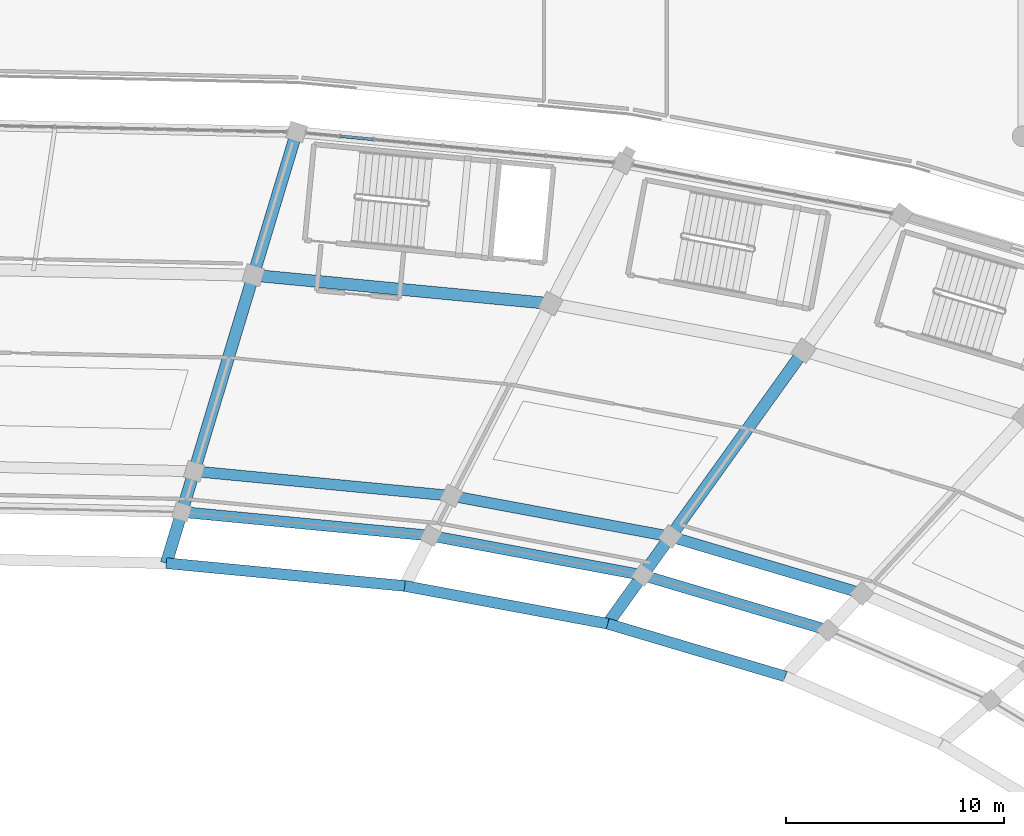
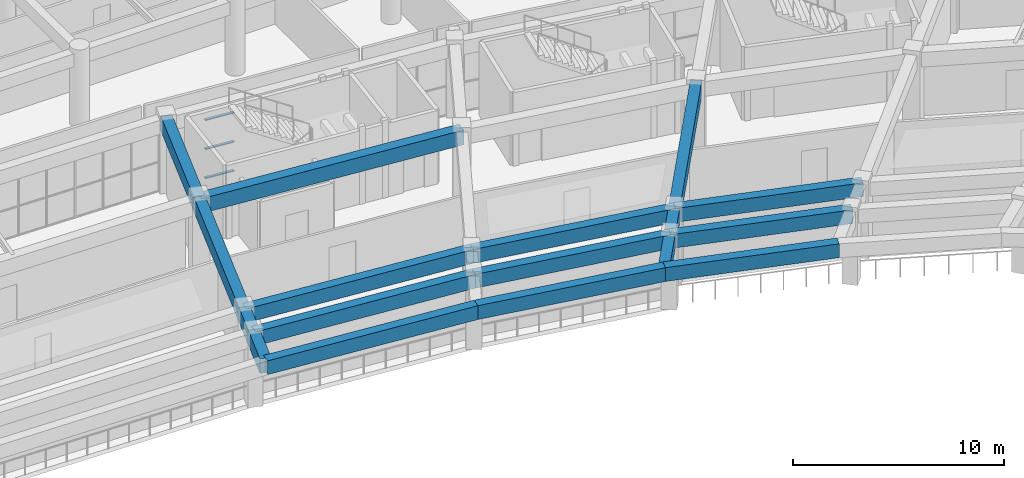
# One storey, part 69 of 145: 13 beams, 3 members, 1 element without a shape of its own.
"""IFC4 building model written with IfcOpenShell, lengths in metres."""

from ifc_helpers import new_model, si_unit, direction, frame, origin, origin_2d, place, context, subcontext, project, spatial, rectangle, extrude, material, layer, layer_set, material_profile, profile_set, type_object, element, aggregate, save


model = new_model("IFC4")

# Units and contexts
model_context = context("Model", 3, precision=1e-05, world=origin(), true_north=direction((0.0, 1.0)))
body_context = subcontext(model_context, "Body", "Model", "MODEL_VIEW")
ifc_project = project(units=[si_unit("LENGTHUNIT", "METRE"), si_unit("AREAUNIT", "SQUARE_METRE"), si_unit("VOLUMEUNIT", "CUBIC_METRE"), si_unit("PLANEANGLEUNIT", "RADIAN"), si_unit("MASSUNIT", "GRAM", prefix="KILO")], contexts=[model_context])

# Site, building, storey
site_placement = place(None, origin())
site = spatial("IfcSite", under=ifc_project, at=site_placement, CompositionType="ELEMENT")
building_placement = place(site_placement, origin())
building = spatial("IfcBuilding", under=site, at=building_placement, Name="Mphavela Belvedere Stadium", CompositionType="ELEMENT")
storey_placement = place(building_placement, frame((0.0, 0.0, 10.199951171875)))
storey = spatial("IfcBuildingStorey", under=building, at=storey_placement, Name="L02", CompositionType="ELEMENT", Elevation=10.199951171875)

# Beams
ifc_material_1 = material(Name="Concrete C40/50", Category="concrete")
ifc_material_profile_1 = material_profile(ifc_material_1, rectangle(XDim=0.5, YDim=0.800048828125, at=origin_2d()), Name="RC 500x800")
ifc_profile_set_1 = profile_set([ifc_material_profile_1], Name="Concrete C40/50")
beam_type_1 = type_object("IfcBeamType", Name="BM-RC500x800", PredefinedType="BEAM", material=ifc_profile_set_1)
beam_1_placement = place(storey_placement, frame((161.450439453125, 137.37890625, 3.85009765625), z_axis=(-0.958656973737, 0.284564240033, 0.0), x_axis=(-0.284564240033, -0.958656973737, 0.0)))
element("IfcBeam", 1, at=beam_1_placement, inside=storey, type_object=beam_type_1, Name="Circumferential girder L02 R1-09", PredefinedType="BEAM", context=body_context, shape_type="SweptSolid", body=[
    extrude(rectangle(XDim=0.5, YDim=0.800048828125, at=origin_2d()), origin(), (0.0, 0.0, 1.0), 8.854736328125),
])
beam_2_placement = place(storey_placement, frame((163.002685546875, 139.0625, 3.85009765625), z_axis=(-0.958656419443, 0.284566107363, 0.0), x_axis=(-0.284566107363, -0.958656419443, 0.0)))
element("IfcBeam", 2, at=beam_2_placement, inside=storey, type_object=beam_type_1, Name="Circumferential girder L02 R2-09", PredefinedType="BEAM", context=body_context, shape_type="SweptSolid", body=[
    extrude(rectangle(XDim=0.5, YDim=0.800048828125, at=origin_2d()), origin(), (0.0, 0.0, 1.0), 9.15087890625),
])
beam_3_placement = place(storey_placement, frame((152.961669921875, 139.898681640625, 3.85009765625), z_axis=(-0.983092994202, 0.183106976248, 0.0), x_axis=(-0.183106976248, -0.983092994202, 0.0)))
element("IfcBeam", 3, at=beam_3_placement, inside=storey, type_object=beam_type_1, Name="Circumferential girder L02 R1-10", PredefinedType="BEAM", context=body_context, shape_type="SweptSolid", body=[
    extrude(rectangle(XDim=0.5, YDim=0.800048828125, at=origin_2d()), origin(), (0.0, 0.0, 1.0), 9.869140625),
])
beam_4_placement = place(storey_placement, frame((154.230224609375, 141.66650390625, 3.85009765625), z_axis=(-0.983098802226, 0.183075790485, 0.0), x_axis=(-0.183075790485, -0.983098802226, 0.0)))
element("IfcBeam", 4, at=beam_4_placement, inside=storey, type_object=beam_type_1, Name="Circumferential girder L02 R2-10", PredefinedType="BEAM", context=body_context, shape_type="SweptSolid", body=[
    extrude(rectangle(XDim=0.5, YDim=0.800048828125, at=origin_2d()), origin(), (0.0, 0.0, 1.0), 10.198974609375),
])
beam_5_placement = place(storey_placement, frame((143.25927734375, 141.705810546875, 3.85009765625), z_axis=(-0.995485216305, 0.094916722014, 0.0), x_axis=(-0.094916722014, -0.995485216305, 0.0)))
element("IfcBeam", 5, at=beam_5_placement, inside=storey, type_object=beam_type_1, Name="Circumferential girder L02 R1-11", PredefinedType="BEAM", context=body_context, shape_type="SweptSolid", body=[
    extrude(rectangle(XDim=0.5, YDim=0.800048828125, at=origin_2d()), origin(), (0.0, 0.0, 1.0), 11.453857421875),
])
beam_6_placement = place(storey_placement, frame((144.20361328125, 143.53369140625, 3.85009765625), z_axis=(-0.9954829494, 0.094940494283, 0.0), x_axis=(-0.094940494283, -0.9954829494, 0.0)))
element("IfcBeam", 6, at=beam_6_placement, inside=storey, type_object=beam_type_1, Name="Circumferential girder L02 R2-11", PredefinedType="BEAM", context=body_context, shape_type="SweptSolid", body=[
    extrude(rectangle(XDim=0.5, YDim=0.800048828125, at=origin_2d()), origin(), (0.0, 0.0, 1.0), 11.836669921875),
])
beam_7_placement = place(storey_placement, frame((159.495849609375, 135.259033203125, 3.85009765625), z_axis=(-0.958654841276, 0.284571423896, 0.0), x_axis=(-0.284571423896, -0.958654841276, 0.0)))
element("IfcBeam", 7, at=beam_7_placement, inside=storey, type_object=beam_type_1, Name="Upper tier front sightline ring beam 09", PredefinedType="BEAM", context=body_context, shape_type="SweptSolid", body=[
    extrude(rectangle(XDim=0.5, YDim=0.800048828125, at=origin_2d()), origin(), (0.0, 0.0, 1.0), 8.482177734375),
])
beam_8_placement = place(storey_placement, frame((151.3642578125, 137.6728515625, 3.85009765625), z_axis=(-0.983094824356, 0.18309714996, 0.0), x_axis=(-0.18309714996, -0.983094824356, 0.0)))
element("IfcBeam", 8, at=beam_8_placement, inside=storey, type_object=beam_type_1, Name="Upper tier front sightline ring beam 10", PredefinedType="BEAM", context=body_context, shape_type="SweptSolid", body=[
    extrude(rectangle(XDim=0.5, YDim=0.800048828125, at=origin_2d()), origin(), (0.0, 0.0, 1.0), 9.453857421875),
])
beam_9_placement = place(storey_placement, frame((142.0703125, 139.40380859375, 3.85009765625), z_axis=(-0.995484465186, 0.094924599412, 0.0), x_axis=(-0.094924599412, -0.995484465186, 0.0)))
element("IfcBeam", 9, at=beam_9_placement, inside=storey, type_object=beam_type_1, Name="Upper tier front sightline ring beam 11", PredefinedType="BEAM", context=body_context, shape_type="SweptSolid", body=[
    extrude(rectangle(XDim=0.5, YDim=0.800048828125, at=origin_2d()), origin(), (0.0, 0.0, 1.0), 10.971923828125),
])
ifc_material_2 = material(Name="Concrete C40/50", Category="concrete")
ifc_material_profile_2 = material_profile(ifc_material_2, rectangle(XDim=0.550048828125, YDim=0.85009765625, at=origin_2d()), Name="RC 550x850")
ifc_profile_set_2 = profile_set([ifc_material_profile_2], Name="Concrete C40/50")
beam_type_2 = type_object("IfcBeamType", Name="BM-RC550x850", PredefinedType="BEAM", material=ifc_profile_set_2)
beam_10_placement = place(storey_placement, frame((148.750244140625, 152.33544921875, 3.824951171875), z_axis=(-0.995483834103, 0.094931217412, 0.0), x_axis=(-0.094931217412, -0.995483834103, 0.0)))
element("IfcBeam", 10, at=beam_10_placement, inside=storey, type_object=beam_type_2, Name="Circumferential girder L02 R3-11", PredefinedType="BEAM", context=body_context, shape_type="SweptSolid", body=[
    extrude(rectangle(XDim=0.550048828125, YDim=0.85009765625, at=origin_2d()), origin(), (0.0, 0.0, 1.0), 13.67919921875),
])
beam_11_placement = place(storey_placement, frame((135.1328125, 153.634033203125, 3.824951171875), z_axis=(0.28918755919, 0.95727245631, 0.0), x_axis=(-0.95727245631, 0.28918755919, 0.0)))
element("IfcBeam", 11, at=beam_11_placement, inside=storey, type_object=beam_type_2, Name="Radial concourse girder L02 R3R4-12", PredefinedType="BEAM", context=body_context, shape_type="SweptSolid", body=[
    extrude(rectangle(XDim=0.550048828125, YDim=0.85009765625, at=origin_2d()), origin(), (0.0, 0.0, 1.0), 6.8525390625),
])
beam_12_placement = place(storey_placement, frame((151.3642578125, 137.6728515625, 3.824951171875), z_axis=(0.583032856155, 0.812448575999, 0.0), x_axis=(-0.812448575999, 0.583032856155, 0.0)))
element("IfcBeam", 12, at=beam_12_placement, inside=storey, type_object=beam_type_2, Name="Upper tier box-front outrigger girder 10", PredefinedType="BEAM", context=body_context, shape_type="SweptSolid", body=[
    extrude(rectangle(XDim=0.550048828125, YDim=0.85009765625, at=origin_2d()), origin(), (0.0, 0.0, 1.0), 15.391357421875),
])
beam_13_placement = place(storey_placement, frame((131.14794921875, 140.4453125, 3.824951171875), z_axis=(0.289228268404, 0.957260157301, 0.0), x_axis=(-0.957260157301, 0.289228268404, 0.0)))
element("IfcBeam", 13, at=beam_13_placement, inside=storey, type_object=beam_type_2, Name="Upper tier box-front outrigger girder 12", PredefinedType="BEAM", context=body_context, shape_type="SweptSolid", body=[
    extrude(rectangle(XDim=0.550048828125, YDim=0.85009765625, at=origin_2d()), origin(), (0.0, 0.0, 1.0), 13.777587890625),
])

# Curtain wall, members
ifc_material_3 = material(Name="Anodised bronze unitised curtain wall framing")
ifc_layer = layer(ifc_material_3, 0.205078125)
ifc_layer_set = layer_set([ifc_layer], Name="Anodised bronze unitised curtain wall framing")
curtain_wall_type = type_object("IfcCurtainWallType", Name="CW-UNIT-06", PredefinedType="USERDEFINED", material=ifc_layer_set)
curtain_wall_placement = place(storey_placement, origin())
curtain_wall = element("IfcCurtainWall", 14, at=curtain_wall_placement, inside=storey, type_object=curtain_wall_type, Name="Belvedere colonnade curtain wall L02-11", ObjectType="UNITISED CURTAIN WALL", PredefinedType="USERDEFINED")
ifc_material_4 = material(Name="Anodised bronze extruded aluminium", Category="aluminium")
ifc_material_profile_3 = material_profile(ifc_material_4, rectangle(XDim=0.139892578125, YDim=0.06005859375, at=origin_2d()), Name="CW-TRN 140x60")
ifc_profile_set_3 = profile_set([ifc_material_profile_3], Name="Anodised bronze extruded aluminium")
member_type = type_object("IfcMemberType", Name="CWT-140x60", PredefinedType="USERDEFINED", material=ifc_profile_set_3)
member_1_placement = place(storey_placement, frame((140.62646484375, 159.85888671875, 0.030029296875), z_axis=(-0.995476636203, 0.095006666994, 0.0), x_axis=(-0.095006666994, -0.995476636203, 0.0)))
member_1 = element("IfcMember", 15, at=member_1_placement, type_object=member_type, Name="CW-06 transom 8.1", ObjectType="TRANSOM", PredefinedType="USERDEFINED", context=body_context, shape_type="SweptSolid", body=[
    extrude(rectangle(XDim=0.139892578125, YDim=0.06005859375, at=origin_2d()), origin(), (0.0, 0.0, 1.0), 1.51611328125),
])
member_2_placement = place(storey_placement, frame((140.62646484375, 159.85888671875, 1.7099609375), z_axis=(-0.995476636203, 0.095006666994, 0.0), x_axis=(-0.095006666994, -0.995476636203, 0.0)))
member_2 = element("IfcMember", 16, at=member_2_placement, type_object=member_type, Name="CW-06 transom 8.2", ObjectType="TRANSOM", PredefinedType="USERDEFINED", context=body_context, shape_type="SweptSolid", body=[
    extrude(rectangle(XDim=0.139892578125, YDim=0.06005859375, at=origin_2d()), origin(), (0.0, 0.0, 1.0), 1.51611328125),
])
member_3_placement = place(storey_placement, frame((140.62646484375, 159.85888671875, 3.39013671875), z_axis=(-0.995476636203, 0.095006666994, 0.0), x_axis=(-0.095006666994, -0.995476636203, 0.0)))
member_3 = element("IfcMember", 17, at=member_3_placement, type_object=member_type, Name="CW-06 transom 8.3", ObjectType="TRANSOM", PredefinedType="USERDEFINED", context=body_context, shape_type="SweptSolid", body=[
    extrude(rectangle(XDim=0.139892578125, YDim=0.06005859375, at=origin_2d()), origin(), (0.0, 0.0, 1.0), 1.51611328125),
])
aggregate(curtain_wall, [member_1, member_2, member_3])

save(model, "model.ifc")
